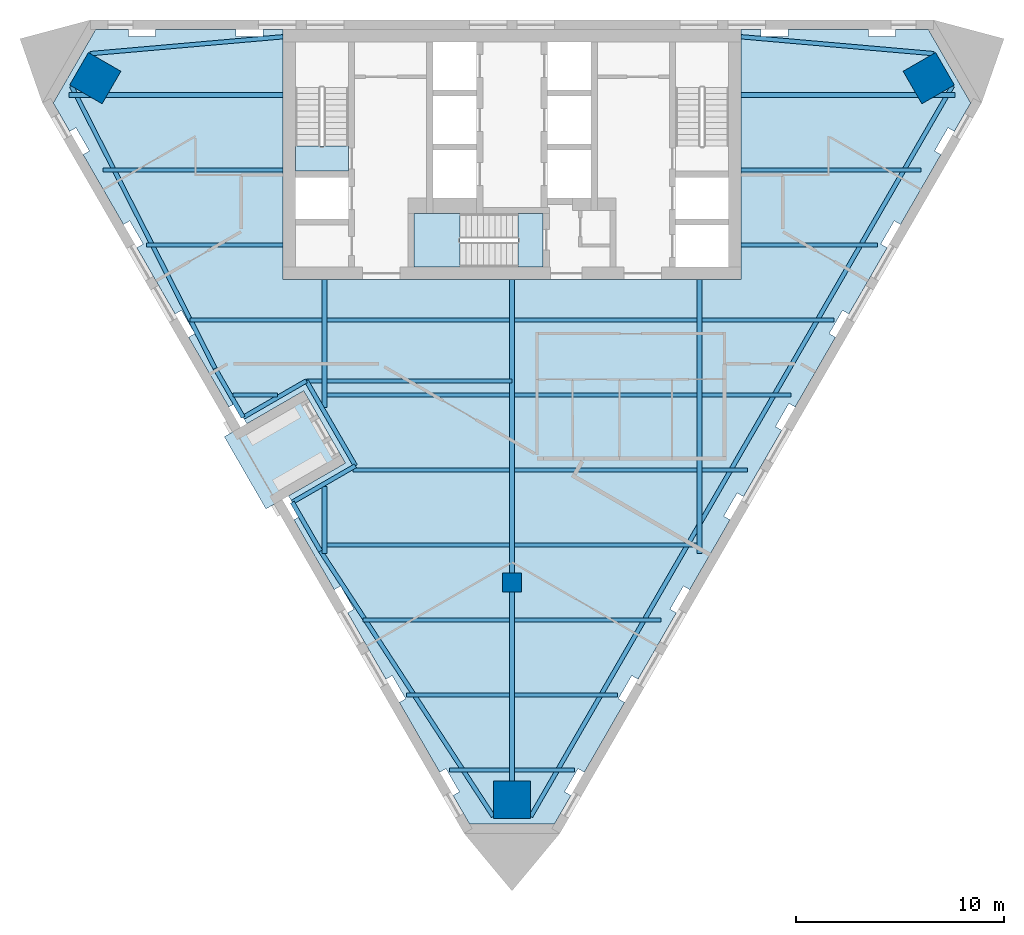
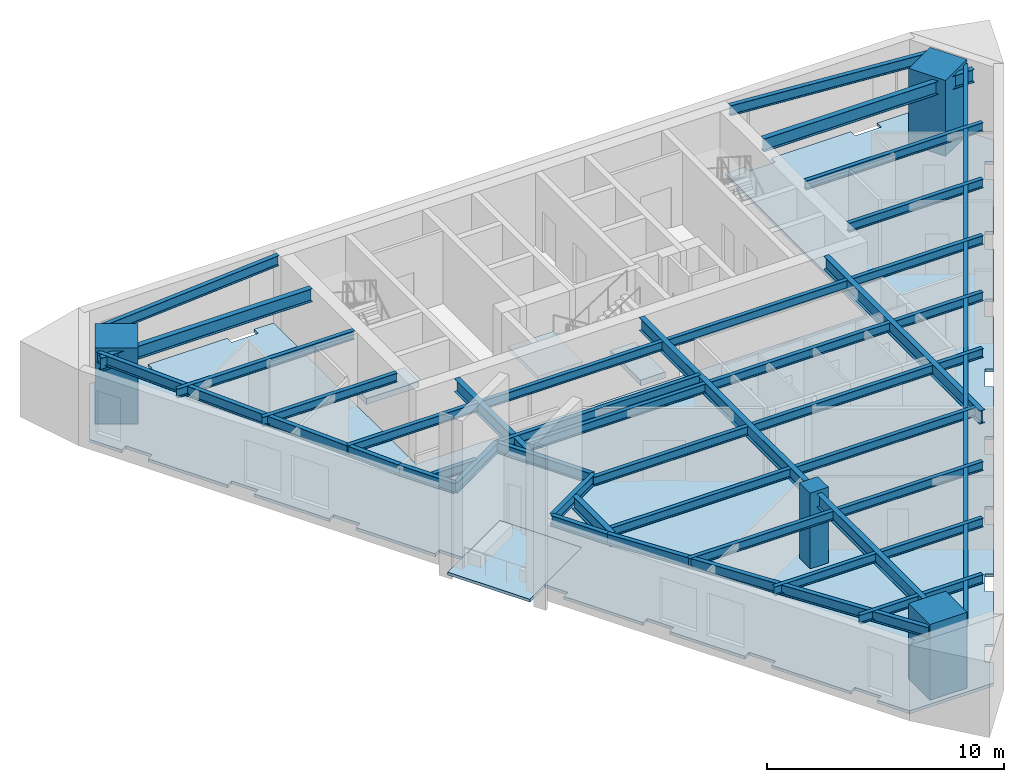
# One storey, part 1 of 7: 41 beams, 5 slabs, 4 columns, 1 element without a shape of its own.
"""IFC4 building model written with IfcOpenShell, lengths in metres."""

from ifc_helpers import new_model, si_unit, direction, frame, origin, origin_2d, place, context, subcontext, project, spatial, polyline, rectangle, i_section, outline, extrude, material, layer, layer_set, material_profile, profile_set, type_object, element, aggregate, save


model = new_model("IFC4")

# Units and contexts
model_context = context("Model", 3, precision=1e-05, world=origin(), true_north=direction((0.0, 1.0)))
body_context = subcontext(model_context, "Body", "Model", "MODEL_VIEW")
ifc_project = project(units=[si_unit("LENGTHUNIT", "METRE"), si_unit("AREAUNIT", "SQUARE_METRE"), si_unit("VOLUMEUNIT", "CUBIC_METRE"), si_unit("PLANEANGLEUNIT", "RADIAN"), si_unit("MASSUNIT", "GRAM", prefix="KILO")], contexts=[model_context])

# Site, building, storey
site_placement = place(None, origin())
site = spatial("IfcSite", under=ifc_project, at=site_placement, CompositionType="ELEMENT")
building_placement = place(site_placement, origin())
building = spatial("IfcBuilding", under=site, at=building_placement, Name="Aloe Facet Convention Tower", CompositionType="ELEMENT")
storey_placement = place(building_placement, frame((0.0, 0.0, 148.10009765625)))
storey = spatial("IfcBuildingStorey", under=building, at=storey_placement, Name="L37", CompositionType="ELEMENT", Elevation=148.10009765625)

# Columns
ifc_material_1 = material(Name="Concrete C70/85", Category="concrete")
ifc_material_profile_1 = material_profile(ifc_material_1, rectangle(XDim=0.89990234375, YDim=0.89990234375, at=origin_2d()), Name="SF-GC-Z3")
ifc_profile_set_1 = profile_set([ifc_material_profile_1], Name="Concrete C70/85")
column_type_1 = type_object("IfcColumnType", Name="SF-GC-Z3", PredefinedType="COLUMN", material=ifc_profile_set_1)
column_placement = place(storey_placement, frame((80.0, 108.0, 0.0), z_axis=(0.0, 0.0, 1.0), x_axis=(1.0, 0.0, 0.0)))
element("IfcColumn", 1, at=column_placement, inside=storey, type_object=column_type_1, Name="Gravity column GC-Z3-9D", PredefinedType="COLUMN", context=body_context, shape_type="SweptSolid", body=[
    extrude(rectangle(XDim=0.89990234375, YDim=0.89990234375, at=origin_2d()), origin(), (0.0, 0.0, 1.0), 3.89990234375),
])
ifc_material_2 = material(Name="Concrete C80/95", Category="concrete")
ifc_material_profile_2 = material_profile(ifc_material_2, rectangle(XDim=1.800048828125, YDim=1.800048828125, at=origin_2d()), Name="STW-MC-Z3")
ifc_profile_set_2 = profile_set([ifc_material_profile_2], Name="Concrete C80/95")
column_type_2 = type_object("IfcColumnType", Name="STW-MC-Z3", PredefinedType="COLUMN", material=ifc_profile_set_2)
for number, where, z_axis, x_axis, name in (
    (2, (100.00732421875, 132.208251953125, 0.0), (0.0, 0.0, 1.0), (-0.5, 0.866025403784, 0.0), "Mega-column MC-NE-L37"),
    (3, (59.99267578125, 132.208251953125, 0.0), (0.0, 0.0, 1.0), (-0.5, -0.866025403784, 0.0), "Mega-column MC-NW-L37"),
    (4, (80.0, 97.55419921875, 0.0), (0.0, 0.0, 1.0), (1.0, 0.0, 0.0), "Mega-column MC-S-L37"),
):
    element("IfcColumn", number, at=place(storey_placement, frame(where, z_axis=z_axis, x_axis=x_axis)), inside=storey, type_object=column_type_2, Name=name, PredefinedType="COLUMN", context=body_context, shape_type="SweptSolid", body=[
        extrude(rectangle(XDim=1.800048828125, YDim=1.800048828125, at=origin_2d()), origin(), (0.0, 0.0, 1.0), 3.89990234375),
    ])

# Beams
ifc_material_3 = material(Name="Steel S355", Category="steel")
ifc_material_profile_3 = material_profile(ifc_material_3, i_section(OverallWidth=0.19140625, OverallDepth=0.4599609375, WebThickness=0.010009765625, FlangeThickness=0.01611328125, FilletRadius=0.01025390625, at=origin_2d()), Name="UB 457x191x82")
ifc_profile_set_3 = profile_set([ifc_material_profile_3], Name="Steel S355")
beam_type_1 = type_object("IfcBeamType", Name="SF-B-UB457x191x82", PredefinedType="BEAM", material=ifc_profile_set_3)
beam_1_placement = place(storey_placement, frame((60.373779296875, 127.800048828125, 3.52001953125), z_axis=(1.0, 0.0, 0.0), x_axis=(0.0, 1.0, 0.0)))
element("IfcBeam", 5, at=beam_1_placement, inside=storey, type_object=beam_type_1, Name="Floor beam FB-Z3G-018", PredefinedType="BEAM", context=body_context, shape_type="SweptSolid", body=[
    extrude(i_section(OverallWidth=0.19140625, OverallDepth=0.4599609375, WebThickness=0.010009765625, FlangeThickness=0.01611328125, FilletRadius=0.01025390625, at=origin_2d()), origin(), (0.0, 0.0, 1.0), 8.626220703125),
])
beam_2_placement = place(storey_placement, frame((62.452392578125, 124.199951171875, 3.52001953125), z_axis=(1.0, 0.0, 0.0), x_axis=(0.0, 1.0, 0.0)))
element("IfcBeam", 6, at=beam_2_placement, inside=storey, type_object=beam_type_1, Name="Floor beam FB-Z3G-019", PredefinedType="BEAM", context=body_context, shape_type="SweptSolid", body=[
    extrude(i_section(OverallWidth=0.19140625, OverallDepth=0.4599609375, WebThickness=0.010009765625, FlangeThickness=0.01611328125, FilletRadius=0.01025390625, at=origin_2d()), origin(), (0.0, 0.0, 1.0), 6.547607421875),
])
beam_3_placement = place(storey_placement, frame((64.53076171875, 120.60009765625, 3.52001953125), z_axis=(1.0, 0.0, 0.0), x_axis=(0.0, 1.0, 0.0)))
element("IfcBeam", 7, at=beam_3_placement, inside=storey, type_object=beam_type_1, Name="Floor beam FB-Z3G-020", PredefinedType="BEAM", context=body_context, shape_type="SweptSolid", body=[
    extrude(i_section(OverallWidth=0.19140625, OverallDepth=0.4599609375, WebThickness=0.010009765625, FlangeThickness=0.01611328125, FilletRadius=0.01025390625, at=origin_2d()), origin(), (0.0, 0.0, 1.0), 6.3427734375),
])
beam_4_placement = place(storey_placement, frame((66.609130859375, 117.0, 3.52001953125), z_axis=(1.0, 0.0, 0.0), x_axis=(0.0, 1.0, 0.0)))
element("IfcBeam", 8, at=beam_4_placement, inside=storey, type_object=beam_type_1, Name="Floor beam FB-Z3G-021", PredefinedType="BEAM", context=body_context, shape_type="SweptSolid", body=[
    extrude(i_section(OverallWidth=0.19140625, OverallDepth=0.4599609375, WebThickness=0.010009765625, FlangeThickness=0.01611328125, FilletRadius=0.01025390625, at=origin_2d()), origin(), (0.0, 0.0, 1.0), 2.12841796875),
])
beam_5_placement = place(storey_placement, frame((70.129150390625, 117.6767578125, 3.52001953125), z_axis=(1.0, 0.0, 0.0), x_axis=(0.0, 1.0, 0.0)))
element("IfcBeam", 9, at=beam_5_placement, inside=storey, type_object=beam_type_1, Name="Floor beam FB-Z3G-022", PredefinedType="BEAM", context=body_context, shape_type="SweptSolid", body=[
    extrude(i_section(OverallWidth=0.19140625, OverallDepth=0.4599609375, WebThickness=0.010009765625, FlangeThickness=0.01611328125, FilletRadius=0.01025390625, at=origin_2d()), origin(), (0.0, 0.0, 1.0), 9.870849609375),
])
for number, where, z_axis, x_axis, name in (
    (10, (71.12646484375, 109.800048828125, 3.52001953125), (1.0, 0.0, 0.0), (0.0, 1.0, 0.0), "Floor beam FB-Z3G-023"),
    (11, (71.12646484375, 117.0, 3.52001953125), (1.0, 0.0, 0.0), (0.0, 1.0, 0.0), "Floor beam FB-Z3G-024"),
    (12, (71.12646484375, 120.60009765625, 3.52001953125), (1.0, 0.0, 0.0), (0.0, 1.0, 0.0), "Floor beam FB-Z3G-025"),
):
    element("IfcBeam", number, at=place(storey_placement, frame(where, z_axis=z_axis, x_axis=x_axis)), inside=storey, type_object=beam_type_1, Name=name, PredefinedType="BEAM", context=body_context, shape_type="SweptSolid", body=[
        extrude(i_section(OverallWidth=0.19140625, OverallDepth=0.4599609375, WebThickness=0.010009765625, FlangeThickness=0.01611328125, FilletRadius=0.01025390625, at=origin_2d()), origin(), (0.0, 0.0, 1.0), 8.7470703125),
    ])
beam_6_placement = place(storey_placement, frame((72.359375, 113.39990234375, 3.52001953125), z_axis=(1.0, 0.0, 0.0), x_axis=(0.0, 1.0, 0.0)))
element("IfcBeam", 13, at=beam_6_placement, inside=storey, type_object=beam_type_1, Name="Floor beam FB-Z3G-026", PredefinedType="BEAM", context=body_context, shape_type="SweptSolid", body=[
    extrude(i_section(OverallWidth=0.19140625, OverallDepth=0.4599609375, WebThickness=0.010009765625, FlangeThickness=0.01611328125, FilletRadius=0.01025390625, at=origin_2d()), origin(), (0.0, 0.0, 1.0), 7.51416015625),
])
beam_7_placement = place(storey_placement, frame((72.844482421875, 106.199951171875, 3.52001953125), z_axis=(1.0, 0.0, 0.0), x_axis=(0.0, 1.0, 0.0)))
element("IfcBeam", 14, at=beam_7_placement, inside=storey, type_object=beam_type_1, Name="Floor beam FB-Z3G-027", PredefinedType="BEAM", context=body_context, shape_type="SweptSolid", body=[
    extrude(i_section(OverallWidth=0.19140625, OverallDepth=0.4599609375, WebThickness=0.010009765625, FlangeThickness=0.01611328125, FilletRadius=0.01025390625, at=origin_2d()), origin(), (0.0, 0.0, 1.0), 7.029052734375),
])
beam_8_placement = place(storey_placement, frame((74.923095703125, 102.60009765625, 3.52001953125), z_axis=(1.0, 0.0, 0.0), x_axis=(0.0, 1.0, 0.0)))
element("IfcBeam", 15, at=beam_8_placement, inside=storey, type_object=beam_type_1, Name="Floor beam FB-Z3G-028", PredefinedType="BEAM", context=body_context, shape_type="SweptSolid", body=[
    extrude(i_section(OverallWidth=0.19140625, OverallDepth=0.4599609375, WebThickness=0.010009765625, FlangeThickness=0.01611328125, FilletRadius=0.01025390625, at=origin_2d()), origin(), (0.0, 0.0, 1.0), 4.950439453125),
])
for number, where, z_axis, x_axis, name in (
    (16, (77.00146484375, 99.0, 3.52001953125), (1.0, 0.0, 0.0), (0.0, 1.0, 0.0), "Floor beam FB-Z3G-029"),
    (17, (80.12646484375, 99.0, 3.52001953125), (1.0, 0.0, 0.0), (0.0, 1.0, 0.0), "Floor beam FB-Z3G-030"),
):
    element("IfcBeam", number, at=place(storey_placement, frame(where, z_axis=z_axis, x_axis=x_axis)), inside=storey, type_object=beam_type_1, Name=name, PredefinedType="BEAM", context=body_context, shape_type="SweptSolid", body=[
        extrude(i_section(OverallWidth=0.19140625, OverallDepth=0.4599609375, WebThickness=0.010009765625, FlangeThickness=0.01611328125, FilletRadius=0.01025390625, at=origin_2d()), origin(), (0.0, 0.0, 1.0), 2.8720703125),
    ])
beam_9_placement = place(storey_placement, frame((80.12646484375, 102.60009765625, 3.52001953125), z_axis=(1.0, 0.0, 0.0), x_axis=(0.0, 1.0, 0.0)))
element("IfcBeam", 18, at=beam_9_placement, inside=storey, type_object=beam_type_1, Name="Floor beam FB-Z3G-031", PredefinedType="BEAM", context=body_context, shape_type="SweptSolid", body=[
    extrude(i_section(OverallWidth=0.19140625, OverallDepth=0.4599609375, WebThickness=0.010009765625, FlangeThickness=0.01611328125, FilletRadius=0.01025390625, at=origin_2d()), origin(), (0.0, 0.0, 1.0), 4.950439453125),
])
beam_10_placement = place(storey_placement, frame((80.12646484375, 106.199951171875, 3.52001953125), z_axis=(1.0, 0.0, 0.0), x_axis=(0.0, 1.0, 0.0)))
element("IfcBeam", 19, at=beam_10_placement, inside=storey, type_object=beam_type_1, Name="Floor beam FB-Z3G-032", PredefinedType="BEAM", context=body_context, shape_type="SweptSolid", body=[
    extrude(i_section(OverallWidth=0.19140625, OverallDepth=0.4599609375, WebThickness=0.010009765625, FlangeThickness=0.01611328125, FilletRadius=0.01025390625, at=origin_2d()), origin(), (0.0, 0.0, 1.0), 7.029052734375),
])
for number, where, z_axis, x_axis, name in (
    (20, (80.12646484375, 109.800048828125, 3.52001953125), (1.0, 0.0, 0.0), (0.0, 1.0, 0.0), "Floor beam FB-Z3G-033"),
    (21, (80.12646484375, 113.39990234375, 3.52001953125), (1.0, 0.0, 0.0), (0.0, 1.0, 0.0), "Floor beam FB-Z3G-034"),
    (22, (80.12646484375, 117.0, 3.52001953125), (1.0, 0.0, 0.0), (0.0, 1.0, 0.0), "Floor beam FB-Z3G-035"),
    (23, (80.12646484375, 120.60009765625, 3.52001953125), (1.0, 0.0, 0.0), (0.0, 1.0, 0.0), "Floor beam FB-Z3G-036"),
):
    element("IfcBeam", number, at=place(storey_placement, frame(where, z_axis=z_axis, x_axis=x_axis)), inside=storey, type_object=beam_type_1, Name=name, PredefinedType="BEAM", context=body_context, shape_type="SweptSolid", body=[
        extrude(i_section(OverallWidth=0.19140625, OverallDepth=0.4599609375, WebThickness=0.010009765625, FlangeThickness=0.01611328125, FilletRadius=0.01025390625, at=origin_2d()), origin(), (0.0, 0.0, 1.0), 8.7470703125),
    ])
beam_11_placement = place(storey_placement, frame((89.12646484375, 113.39990234375, 3.52001953125), z_axis=(1.0, 0.0, 0.0), x_axis=(0.0, 1.0, 0.0)))
element("IfcBeam", 24, at=beam_11_placement, inside=storey, type_object=beam_type_1, Name="Floor beam FB-Z3G-037", PredefinedType="BEAM", context=body_context, shape_type="SweptSolid", body=[
    extrude(i_section(OverallWidth=0.19140625, OverallDepth=0.4599609375, WebThickness=0.010009765625, FlangeThickness=0.01611328125, FilletRadius=0.01025390625, at=origin_2d()), origin(), (0.0, 0.0, 1.0), 2.185791015625),
])
beam_12_placement = place(storey_placement, frame((89.12646484375, 117.0, 3.52001953125), z_axis=(1.0, 0.0, 0.0), x_axis=(0.0, 1.0, 0.0)))
element("IfcBeam", 25, at=beam_12_placement, inside=storey, type_object=beam_type_1, Name="Floor beam FB-Z3G-038", PredefinedType="BEAM", context=body_context, shape_type="SweptSolid", body=[
    extrude(i_section(OverallWidth=0.19140625, OverallDepth=0.4599609375, WebThickness=0.010009765625, FlangeThickness=0.01611328125, FilletRadius=0.01025390625, at=origin_2d()), origin(), (0.0, 0.0, 1.0), 4.264404296875),
])
beam_13_placement = place(storey_placement, frame((89.12646484375, 120.60009765625, 3.52001953125), z_axis=(1.0, 0.0, 0.0), x_axis=(0.0, 1.0, 0.0)))
element("IfcBeam", 26, at=beam_13_placement, inside=storey, type_object=beam_type_1, Name="Floor beam FB-Z3G-039", PredefinedType="BEAM", context=body_context, shape_type="SweptSolid", body=[
    extrude(i_section(OverallWidth=0.19140625, OverallDepth=0.4599609375, WebThickness=0.010009765625, FlangeThickness=0.01611328125, FilletRadius=0.01025390625, at=origin_2d()), origin(), (0.0, 0.0, 1.0), 6.3427734375),
])
beam_14_placement = place(storey_placement, frame((91.0, 124.199951171875, 3.52001953125), z_axis=(1.0, 0.0, 0.0), x_axis=(0.0, 1.0, 0.0)))
element("IfcBeam", 27, at=beam_14_placement, inside=storey, type_object=beam_type_1, Name="Floor beam FB-Z3G-040", PredefinedType="BEAM", context=body_context, shape_type="SweptSolid", body=[
    extrude(i_section(OverallWidth=0.19140625, OverallDepth=0.4599609375, WebThickness=0.010009765625, FlangeThickness=0.01611328125, FilletRadius=0.01025390625, at=origin_2d()), origin(), (0.0, 0.0, 1.0), 6.547607421875),
])
beam_15_placement = place(storey_placement, frame((91.0, 127.800048828125, 3.52001953125), z_axis=(1.0, 0.0, 0.0), x_axis=(0.0, 1.0, 0.0)))
element("IfcBeam", 28, at=beam_15_placement, inside=storey, type_object=beam_type_1, Name="Floor beam FB-Z3G-041", PredefinedType="BEAM", context=body_context, shape_type="SweptSolid", body=[
    extrude(i_section(OverallWidth=0.19140625, OverallDepth=0.4599609375, WebThickness=0.010009765625, FlangeThickness=0.01611328125, FilletRadius=0.01025390625, at=origin_2d()), origin(), (0.0, 0.0, 1.0), 8.626220703125),
])
ifc_material_4 = material(Name="Steel S355", Category="steel")
ifc_material_profile_4 = material_profile(ifc_material_4, i_section(OverallWidth=0.209228515625, OverallDepth=0.533203125, WebThickness=0.010009765625, FlangeThickness=0.015625, FilletRadius=0.0126953125, at=origin_2d()), Name="UB 533x210x92")
ifc_profile_set_4 = profile_set([ifc_material_profile_4], Name="Steel S355")
beam_type_2 = type_object("IfcBeamType", Name="SF-B-UB533x210x92", PredefinedType="BEAM", material=ifc_profile_set_4)
beam_16_placement = place(storey_placement, frame((65.744873046875, 118.270263671875, 3.4833984375), z_axis=(-0.453150244983, 0.891434156555, 0.0), x_axis=(-0.891434156555, -0.453150244983, 0.0)))
element("IfcBeam", 29, at=beam_16_placement, inside=storey, type_object=beam_type_2, Name="Floor beam FB-Z3G-001", PredefinedType="BEAM", context=body_context, shape_type="SweptSolid", body=[
    extrude(i_section(OverallWidth=0.209228515625, OverallDepth=0.533203125, WebThickness=0.010009765625, FlangeThickness=0.015625, FilletRadius=0.0126953125, at=origin_2d()), origin(), (0.0, 0.0, 1.0), 15.20703125),
])
beam_17_placement = place(storey_placement, frame((67.097900390625, 115.9267578125, 3.4833984375), z_axis=(-0.500000999148, 0.866024826925, 0.0), x_axis=(-0.866024826925, -0.500000999148, 0.0)))
element("IfcBeam", 30, at=beam_17_placement, inside=storey, type_object=beam_type_2, Name="Floor beam FB-Z3G-002", PredefinedType="BEAM", context=body_context, shape_type="SweptSolid", body=[
    extrude(i_section(OverallWidth=0.209228515625, OverallDepth=0.533203125, WebThickness=0.010009765625, FlangeThickness=0.015625, FilletRadius=0.0126953125, at=origin_2d()), origin(), (0.0, 0.0, 1.0), 2.7060546875),
])
beam_18_placement = place(storey_placement, frame((69.0, 134.1953125, 3.4833984375), z_axis=(-0.996184118201, -0.087276587035, 0.0), x_axis=(0.087276587035, -0.996184118201, 0.0)))
element("IfcBeam", 31, at=beam_18_placement, inside=storey, type_object=beam_type_2, Name="Floor beam FB-Z3G-003", PredefinedType="BEAM", context=body_context, shape_type="SweptSolid", body=[
    extrude(i_section(OverallWidth=0.209228515625, OverallDepth=0.533203125, WebThickness=0.010009765625, FlangeThickness=0.015625, FilletRadius=0.0126953125, at=origin_2d()), origin(), (0.0, 0.0, 1.0), 9.281494140625),
])
beam_19_placement = place(storey_placement, frame((69.45263671875, 111.848388671875, 3.4833984375), z_axis=(0.866019471182, 0.500010275428, 0.0), x_axis=(-0.500010275428, 0.866019471182, 0.0)))
element("IfcBeam", 32, at=beam_19_placement, inside=storey, type_object=beam_type_2, Name="Floor beam FB-Z3G-004", PredefinedType="BEAM", context=body_context, shape_type="SweptSolid", body=[
    extrude(i_section(OverallWidth=0.209228515625, OverallDepth=0.533203125, WebThickness=0.010009765625, FlangeThickness=0.015625, FilletRadius=0.0126953125, at=origin_2d()), origin(), (0.0, 0.0, 1.0), 3.5),
])
beam_20_placement = place(storey_placement, frame((70.129150390625, 117.6767578125, 3.4833984375), z_axis=(-0.866036909293, -0.499980071345, 0.0), x_axis=(0.499980071345, -0.866036909293, 0.0)))
element("IfcBeam", 33, at=beam_20_placement, inside=storey, type_object=beam_type_2, Name="Floor beam FB-Z3G-005", PredefinedType="BEAM", context=body_context, shape_type="SweptSolid", body=[
    extrude(i_section(OverallWidth=0.209228515625, OverallDepth=0.533203125, WebThickness=0.010009765625, FlangeThickness=0.015625, FilletRadius=0.0126953125, at=origin_2d()), origin(), (0.0, 0.0, 1.0), 3.500244140625),
])
beam_21_placement = place(storey_placement, frame((70.8056640625, 109.5048828125, 3.4833984375), z_axis=(-0.500000999148, 0.866024826925, 0.0), x_axis=(-0.866024826925, -0.500000999148, 0.0)))
element("IfcBeam", 34, at=beam_21_placement, inside=storey, type_object=beam_type_2, Name="Floor beam FB-Z3G-006", PredefinedType="BEAM", context=body_context, shape_type="SweptSolid", body=[
    extrude(i_section(OverallWidth=0.209228515625, OverallDepth=0.533203125, WebThickness=0.010009765625, FlangeThickness=0.015625, FilletRadius=0.0126953125, at=origin_2d()), origin(), (0.0, 0.0, 1.0), 2.7060546875),
])
beam_22_placement = place(storey_placement, frame((70.8056640625, 109.5048828125, 3.4833984375), z_axis=(0.545426170012, -0.838158871018, 0.0), x_axis=(0.838158871018, 0.545426170012, 0.0)))
element("IfcBeam", 35, at=beam_22_placement, inside=storey, type_object=beam_type_2, Name="Floor beam FB-Z3G-007", PredefinedType="BEAM", context=body_context, shape_type="SweptSolid", body=[
    extrude(i_section(OverallWidth=0.209228515625, OverallDepth=0.533203125, WebThickness=0.010009765625, FlangeThickness=0.015625, FilletRadius=0.0126953125, at=origin_2d()), origin(), (0.0, 0.0, 1.0), 15.207275390625),
])
beam_23_placement = place(storey_placement, frame((72.483642578125, 113.598388671875, 3.4833984375), z_axis=(-0.499975261021, 0.86603968637, 0.0), x_axis=(-0.86603968637, -0.499975261021, 0.0)))
element("IfcBeam", 36, at=beam_23_placement, inside=storey, type_object=beam_type_2, Name="Floor beam FB-Z3G-008", PredefinedType="BEAM", context=body_context, shape_type="SweptSolid", body=[
    extrude(i_section(OverallWidth=0.209228515625, OverallDepth=0.533203125, WebThickness=0.010009765625, FlangeThickness=0.015625, FilletRadius=0.0126953125, at=origin_2d()), origin(), (0.0, 0.0, 1.0), 4.709228515625),
])
beam_24_placement = place(storey_placement, frame((91.0, 134.1953125, 3.4833984375), z_axis=(0.996184118201, -0.087276587035, 0.0), x_axis=(0.087276587035, 0.996184118201, 0.0)))
element("IfcBeam", 37, at=beam_24_placement, inside=storey, type_object=beam_type_2, Name="Floor beam FB-Z3G-009", PredefinedType="BEAM", context=body_context, shape_type="SweptSolid", body=[
    extrude(i_section(OverallWidth=0.209228515625, OverallDepth=0.533203125, WebThickness=0.010009765625, FlangeThickness=0.015625, FilletRadius=0.0126953125, at=origin_2d()), origin(), (0.0, 0.0, 1.0), 9.281494140625),
])
beam_25_placement = place(storey_placement, frame((101.146240234375, 131.826416015625, 3.4833984375), z_axis=(-0.500000630289, -0.866025039887, 0.0), x_axis=(0.866025039887, -0.500000630289, 0.0)))
element("IfcBeam", 38, at=beam_25_placement, inside=storey, type_object=beam_type_2, Name="Floor beam FB-Z3G-010", PredefinedType="BEAM", context=body_context, shape_type="SweptSolid", body=[
    extrude(i_section(OverallWidth=0.209228515625, OverallDepth=0.533203125, WebThickness=0.010009765625, FlangeThickness=0.015625, FilletRadius=0.0126953125, at=origin_2d()), origin(), (0.0, 0.0, 1.0), 40.49267578125),
])
ifc_material_5 = material(Name="Steel S355", Category="steel")
ifc_material_profile_5 = material_profile(ifc_material_5, i_section(OverallWidth=0.2529296875, OverallDepth=0.677978515625, WebThickness=0.01171875, FlangeThickness=0.01611328125, FilletRadius=0.01513671875, at=origin_2d()), Name="UB 686x254x125")
ifc_profile_set_5 = profile_set([ifc_material_profile_5], Name="Steel S355")
beam_type_3 = type_object("IfcBeamType", Name="SF-B-UB686x254x125", PredefinedType="BEAM", material=ifc_profile_set_5)
beam_26_placement = place(storey_placement, frame((58.73828125, 131.39990234375, 3.410888671875), z_axis=(1.0, 0.0, 0.0), x_axis=(0.0, 1.0, 0.0)))
element("IfcBeam", 39, at=beam_26_placement, inside=storey, type_object=beam_type_3, Name="Floor beam FB-Z3G-011", PredefinedType="BEAM", context=body_context, shape_type="SweptSolid", body=[
    extrude(i_section(OverallWidth=0.2529296875, OverallDepth=0.677978515625, WebThickness=0.01171875, FlangeThickness=0.01611328125, FilletRadius=0.01513671875, at=origin_2d()), origin(), (0.0, 0.0, 1.0), 10.26171875),
])
beam_27_placement = place(storey_placement, frame((71.0, 112.61083984375, 3.410888671875), z_axis=(0.0, -1.0, 0.0), x_axis=(1.0, 0.0, 0.0)))
element("IfcBeam", 40, at=beam_27_placement, inside=storey, type_object=beam_type_3, Name="Floor beam FB-Z3G-012", PredefinedType="BEAM", context=body_context, shape_type="SweptSolid", body=[
    extrude(i_section(OverallWidth=0.2529296875, OverallDepth=0.677978515625, WebThickness=0.01171875, FlangeThickness=0.01611328125, FilletRadius=0.01513671875, at=origin_2d()), origin(), (0.0, 0.0, 1.0), 3.22314453125),
])
beam_28_placement = place(storey_placement, frame((71.0, 122.550048828125, 3.410888671875), z_axis=(0.0, -1.0, 0.0), x_axis=(1.0, 0.0, 0.0)))
element("IfcBeam", 41, at=beam_28_placement, inside=storey, type_object=beam_type_3, Name="Floor beam FB-Z3G-013", PredefinedType="BEAM", context=body_context, shape_type="SweptSolid", body=[
    extrude(i_section(OverallWidth=0.2529296875, OverallDepth=0.677978515625, WebThickness=0.01171875, FlangeThickness=0.01611328125, FilletRadius=0.01513671875, at=origin_2d()), origin(), (0.0, 0.0, 1.0), 6.162353515625),
])
beam_29_placement = place(storey_placement, frame((80.0, 107.550048828125, 3.410888671875), z_axis=(0.0, -1.0, 0.0), x_axis=(1.0, 0.0, 0.0)))
element("IfcBeam", 42, at=beam_29_placement, inside=storey, type_object=beam_type_3, Name="Floor beam FB-Z3G-014", PredefinedType="BEAM", context=body_context, shape_type="SweptSolid", body=[
    extrude(i_section(OverallWidth=0.2529296875, OverallDepth=0.677978515625, WebThickness=0.01171875, FlangeThickness=0.01611328125, FilletRadius=0.01513671875, at=origin_2d()), origin(), (0.0, 0.0, 1.0), 10.676513671875),
])
beam_30_placement = place(storey_placement, frame((80.0, 122.550048828125, 3.410888671875), z_axis=(0.0, -1.0, 0.0), x_axis=(1.0, 0.0, 0.0)))
element("IfcBeam", 43, at=beam_30_placement, inside=storey, type_object=beam_type_3, Name="Floor beam FB-Z3G-015", PredefinedType="BEAM", context=body_context, shape_type="SweptSolid", body=[
    extrude(i_section(OverallWidth=0.2529296875, OverallDepth=0.677978515625, WebThickness=0.01171875, FlangeThickness=0.01611328125, FilletRadius=0.01513671875, at=origin_2d()), origin(), (0.0, 0.0, 1.0), 14.10009765625),
])
beam_31_placement = place(storey_placement, frame((89.0, 122.550048828125, 3.410888671875), z_axis=(0.0, -1.0, 0.0), x_axis=(1.0, 0.0, 0.0)))
element("IfcBeam", 44, at=beam_31_placement, inside=storey, type_object=beam_type_3, Name="Floor beam FB-Z3G-016", PredefinedType="BEAM", context=body_context, shape_type="SweptSolid", body=[
    extrude(i_section(OverallWidth=0.2529296875, OverallDepth=0.677978515625, WebThickness=0.01171875, FlangeThickness=0.01611328125, FilletRadius=0.01513671875, at=origin_2d()), origin(), (0.0, 0.0, 1.0), 13.162353515625),
])
beam_32_placement = place(storey_placement, frame((91.0, 131.39990234375, 3.410888671875), z_axis=(1.0, 0.0, 0.0), x_axis=(0.0, 1.0, 0.0)))
element("IfcBeam", 45, at=beam_32_placement, inside=storey, type_object=beam_type_3, Name="Floor beam FB-Z3G-017", PredefinedType="BEAM", context=body_context, shape_type="SweptSolid", body=[
    extrude(i_section(OverallWidth=0.2529296875, OverallDepth=0.677978515625, WebThickness=0.01171875, FlangeThickness=0.01611328125, FilletRadius=0.01513671875, at=origin_2d()), origin(), (0.0, 0.0, 1.0), 10.26171875),
])

# Slabs
ifc_material_6 = material(Name="Concrete C60/75", Category="concrete")
ifc_layer_1 = layer(ifc_material_6, 0.300048828125)
ifc_layer_set_1 = layer_set([ifc_layer_1], Name="CR-S-FLOOR300-C6075")
slab_type_1 = type_object("IfcSlabType", Name="CR-S-FLOOR300-C6075", PredefinedType="FLOOR", material=ifc_layer_set_1)
slab_1_placement = place(storey_placement, frame((0.0, 0.0, -0.300048828125)))
element("IfcSlab", 46, at=slab_1_placement, inside=storey, type_object=slab_type_1, Name="Stair landing floor L37", PredefinedType="FLOOR", context=body_context, shape_type="SweptSolid", body=[
    extrude(outline(polyline([(72.14990234375, 127.75), (72.14990234375, 128.951171875), (69.60009765625, 128.951171875), (69.60009765625, 127.75), (72.14990234375, 127.75)])), origin(), (0.0, 0.0, 1.0), 0.300048828125),
])
slab_2_placement = place(storey_placement, frame((0.0, 0.0, -0.300048828125)))
element("IfcSlab", 47, at=slab_2_placement, inside=storey, type_object=slab_type_1, Name="Stair landing floor L37", PredefinedType="FLOOR", context=body_context, shape_type="SweptSolid", body=[
    extrude(outline(polyline([(81.5, 125.699951171875), (80.298828125, 125.699951171875), (80.298828125, 123.14990234375), (81.5, 123.14990234375), (81.5, 125.699951171875)])), origin(), (0.0, 0.0, 1.0), 0.300048828125),
])

# Stair, slab
ifc_material_7 = material(Name="Concrete C50/60", Category="concrete")
stair_type = type_object("IfcStairType", Name="CR-ST-22R", PredefinedType="HALF_TURN_STAIR", material=ifc_material_7)
stair_placement = place(storey_placement, origin())
stair = element("IfcStair", 48, at=stair_placement, inside=storey, type_object=stair_type, Name="L37 Protected exit stair ST3", PredefinedType="HALF_TURN_STAIR")
ifc_material_8 = material(Name="Concrete C50/60", Category="concrete")
ifc_layer_2 = layer(ifc_material_8, 0.199951171875)
ifc_layer_set_2 = layer_set([ifc_layer_2], Name="CR-SL-LANDING")
slab_type_2 = type_object("IfcSlabType", Name="CR-SL-LANDING", PredefinedType="LANDING", material=ifc_layer_set_2)
slab_3_placement = place(storey_placement, frame((0.0, 0.0, 1.75)))
slab_3 = element("IfcSlab", 49, at=slab_3_placement, type_object=slab_type_2, Name="ST3 landing 1", PredefinedType="LANDING", context=body_context, shape_type="SweptSolid", body=[
    extrude(outline(polyline([(77.5, 125.699951171875), (75.300048828125, 125.699951171875), (75.300048828125, 123.14990234375), (77.5, 123.14990234375), (77.5, 125.699951171875)])), origin(), (0.0, 0.0, 1.0), 0.199951171875),
])
aggregate(stair, [slab_3])

# Slabs
ifc_material_9 = material(Name="Concrete C35/45", Category="concrete")
ifc_layer_3 = layer(ifc_material_9, 0.14990234375)
ifc_layer_set_3 = layer_set([ifc_layer_3], Name="SF-FS-150")
slab_type_3 = type_object("IfcSlabType", Name="SF-FS-150", PredefinedType="FLOOR", material=ifc_layer_set_3)
slab_4_placement = place(storey_placement, frame((0.0, 0.0, -0.150146484375)))
element("IfcSlab", 50, at=slab_4_placement, inside=storey, type_object=slab_type_3, Name="Floor slab L37-1", PredefinedType="FLOOR", context=body_context, shape_type="SweptSolid", body=[
    extrude(outline(polyline([(60.0166015625, 134.550048828125), (61.593994140625, 134.550048828125), (61.593994140625, 134.199951171875), (62.88330078125, 134.199951171875), (62.88330078125, 134.550048828125), (66.752197265625, 134.550048828125), (66.752197265625, 134.199951171875), (68.04150390625, 134.199951171875), (68.04150390625, 134.550048828125), (69.0, 134.550048828125), (69.0, 128.050048828125), (69.0, 127.14990234375), (69.0, 125.75), (69.0, 124.85009765625), (69.0, 122.550048828125), (71.85009765625, 122.550048828125), (72.75, 122.550048828125), (74.699951171875, 122.550048828125), (75.60009765625, 122.550048828125), (81.199951171875, 122.550048828125), (82.10009765625, 122.550048828125), (84.39990234375, 122.550048828125), (85.300048828125, 122.550048828125), (87.25, 122.550048828125), (88.14990234375, 122.550048828125), (91.0, 122.550048828125), (91.0, 124.85009765625), (91.0, 125.75), (91.0, 127.14990234375), (91.0, 128.050048828125), (91.0, 134.550048828125), (91.95849609375, 134.550048828125), (91.95849609375, 134.199951171875), (93.247802734375, 134.199951171875), (93.247802734375, 134.550048828125), (97.11669921875, 134.550048828125), (97.11669921875, 134.199951171875), (98.406005859375, 134.199951171875), (98.406005859375, 134.550048828125), (99.9833984375, 134.550048828125), (102.0234375, 131.016357421875), (101.23486328125, 129.650390625), (100.931640625, 129.825439453125), (100.287109375, 128.708740234375), (100.590087890625, 128.53369140625), (98.65576171875, 125.183349609375), (98.352783203125, 125.3583984375), (97.7080078125, 124.24169921875), (98.010986328125, 124.066650390625), (96.174072265625, 120.884765625), (95.87109375, 121.059814453125), (95.226318359375, 119.943115234375), (95.529296875, 119.768310546875), (93.594970703125, 116.417724609375), (93.2919921875, 116.5927734375), (92.647216796875, 115.476318359375), (92.9501953125, 115.30126953125), (91.11328125, 112.119384765625), (90.810302734375, 112.294189453125), (90.16552734375, 111.177734375), (90.468505859375, 111.002685546875), (88.5341796875, 107.65234375), (88.231201171875, 107.827392578125), (87.58642578125, 106.710693359375), (87.8896484375, 106.53564453125), (86.052490234375, 103.353759765625), (85.74951171875, 103.52880859375), (85.104736328125, 102.412109375), (85.407958984375, 102.2373046875), (83.473388671875, 98.88671875), (83.17041015625, 99.061767578125), (82.525634765625, 97.9453125), (82.828857421875, 97.770263671875), (82.040283203125, 96.404296875), (77.959716796875, 96.404296875), (77.171142578125, 97.770263671875), (77.474365234375, 97.9453125), (76.82958984375, 99.061767578125), (76.526611328125, 98.88671875), (74.592041015625, 102.2373046875), (74.895263671875, 102.412109375), (74.25048828125, 103.52880859375), (73.947509765625, 103.353759765625), (72.1103515625, 106.53564453125), (72.41357421875, 106.710693359375), (71.768798828125, 107.827392578125), (71.4658203125, 107.65234375), (69.531494140625, 111.002685546875), (69.83447265625, 111.177734375), (69.271240234375, 112.1533203125), (71.999267578125, 113.728271484375), (69.999267578125, 117.1923828125), (67.271240234375, 115.6171875), (66.7080078125, 116.5927734375), (66.405029296875, 116.417724609375), (64.470703125, 119.768310546875), (64.773681640625, 119.943115234375), (64.12890625, 121.059814453125), (63.825927734375, 120.884765625), (61.989013671875, 124.066650390625), (62.2919921875, 124.24169921875), (61.647216796875, 125.3583984375), (61.34423828125, 125.183349609375), (59.409912109375, 128.53369140625), (59.712890625, 128.708740234375), (59.068359375, 129.825439453125), (58.76513671875, 129.650390625), (57.9765625, 131.016357421875), (60.0166015625, 134.550048828125)]), holes=[polyline([(80.89990234375, 96.654296875), (80.89990234375, 98.4541015625), (79.10009765625, 98.4541015625), (79.10009765625, 96.654296875), (80.89990234375, 96.654296875)]), polyline([(59.6630859375, 133.4375), (58.76318359375, 131.878662109375), (60.322021484375, 130.978759765625), (61.221923828125, 132.53759765625), (59.6630859375, 133.4375)]), polyline([(80.449951171875, 107.550048828125), (80.449951171875, 108.449951171875), (79.550048828125, 108.449951171875), (79.550048828125, 107.550048828125), (80.449951171875, 107.550048828125)]), polyline([(101.23681640625, 131.878662109375), (100.3369140625, 133.4375), (98.778076171875, 132.53759765625), (99.677978515625, 130.978759765625), (101.23681640625, 131.878662109375)])]), origin(), (0.0, 0.0, 1.0), 0.150146484375),
])
ifc_material_10 = material(Name="Concrete C35/45", Category="concrete")
ifc_layer_4 = layer(ifc_material_10, 0.14990234375)
ifc_layer_set_4 = layer_set([ifc_layer_4], Name="SF-TS-150")
slab_type_4 = type_object("IfcSlabType", Name="SF-TS-150", PredefinedType="FLOOR", material=ifc_layer_set_4)
slab_5_placement = place(storey_placement, frame((0.0, 0.0, -0.150146484375)))
element("IfcSlab", 51, at=slab_5_placement, inside=storey, type_object=slab_type_4, Name="Terrace slab T08", PredefinedType="FLOOR", context=body_context, shape_type="SweptSolid", body=[
    extrude(outline(polyline([(66.188720703125, 114.9921875), (69.999267578125, 117.1923828125), (71.999267578125, 113.728271484375), (68.188720703125, 111.5283203125), (66.188720703125, 114.9921875)])), origin(), (0.0, 0.0, 1.0), 0.150146484375),
])

save(model, "model.ifc")
